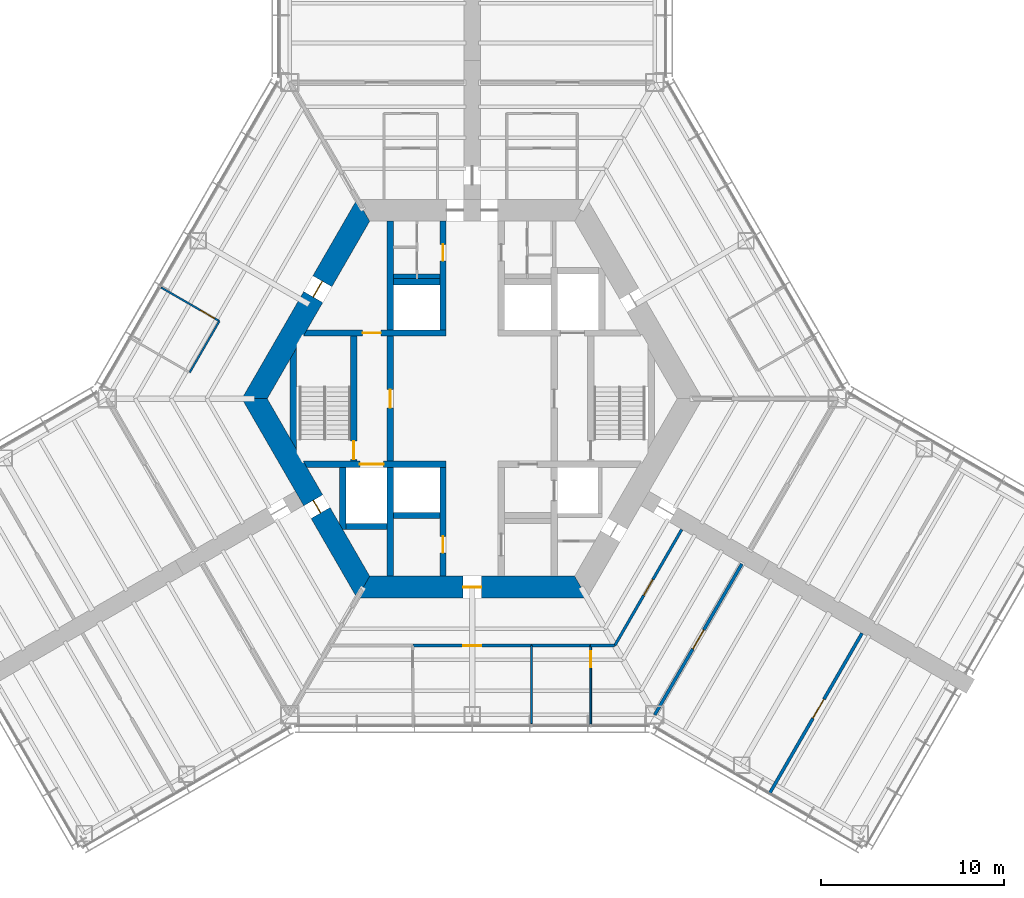
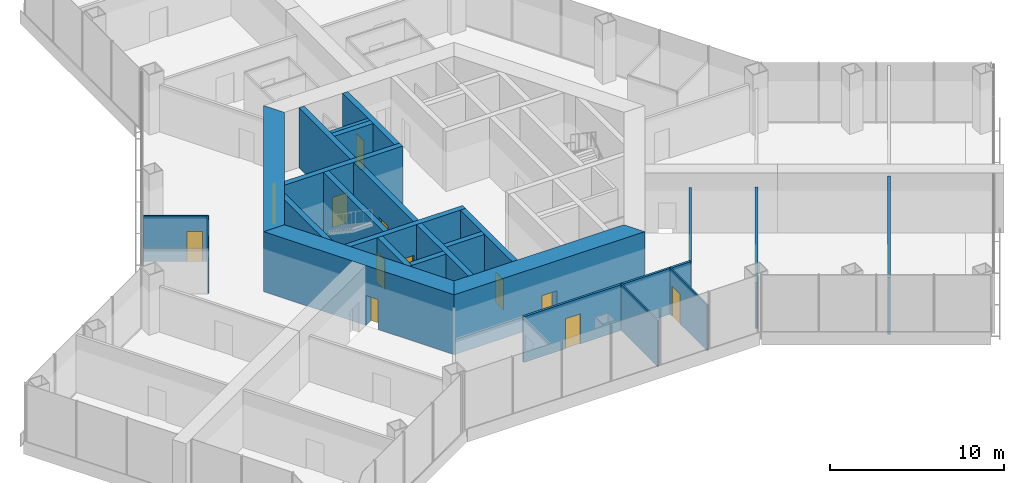
# One storey, part 11 of 16: 27 walls, 15 doors, 15 openings.
"""IFC4 building model written with IfcOpenShell, lengths in metres."""

import ifcopenshell
import ifcopenshell.guid

model = None  # the IFC model being written
_history = None  # IfcOwnerHistory: only IFC2X3 demands one
_inside = {}  # id of a spatial element -> (the spatial element, [elements in it])
_under = {}  # id of a project, library or spatial element -> (it, [spatial elements below it])
_declared = {}  # id of a project -> (the project, [libraries it declares])
_typed = {}  # id of a type object -> (the type object, [elements of that type])
_made_of = {}  # id of a material, layer set ... -> (it, [elements and type objects made of it])


def new_model(schema):
    """Start an empty IFC model of exactly this schema.

    Asked for "IFC4X3", IfcOpenShell would pick the latest addendum, in which some entities
    have other attributes; the version numbers below select the first issue.
    IFC2X3 requires an IfcOwnerHistory on every rooted entity: one is made here for all.
    """
    global model, _history
    if schema == "IFC4X3":
        model = ifcopenshell.file(schema_version=(4, 3, 0, 0))
    else:
        model = ifcopenshell.file(schema=schema)
    _inside.clear()
    _under.clear()
    _declared.clear()
    _typed.clear()
    _made_of.clear()
    _history = None
    if model.schema == "IFC2X3":
        org = make("IfcOrganization", Name="unknown")
        user = make(
            "IfcPersonAndOrganization",
            ThePerson=make("IfcPerson", FamilyName="unknown"),
            TheOrganization=org,
        )
        app = make(
            "IfcApplication",
            ApplicationDeveloper=org,
            Version="unknown",
            ApplicationFullName="unknown",
            ApplicationIdentifier="unknown",
        )
        _history = make(
            "IfcOwnerHistory",
            OwningUser=user,
            OwningApplication=app,
            ChangeAction="ADDED",
            CreationDate=0,
        )
    return model


def make(cls, **values):
    """One entity of the class cls with the attributes given. An attribute that is None is left unset."""
    return model.create_entity(
        cls, **{name: value for name, value in values.items() if value is not None}
    )


def rooted(cls, **values):
    """An entity with a GlobalId (a new one), such as an element, a storey or a relation."""
    return make(cls, GlobalId=ifcopenshell.guid.new(), OwnerHistory=_history, **values)


def si_unit(unit_type, name, prefix=None):
    """IfcSIUnit, for example si_unit("LENGTHUNIT", "METRE", prefix="MILLI")."""
    return make("IfcSIUnit", UnitType=unit_type, Prefix=prefix, Name=name)


def assignment(units):
    """IfcUnitAssignment: the units of a project."""
    return None if units is None else make("IfcUnitAssignment", Units=units)


def point(xyz):
    """IfcCartesianPoint."""
    return None if xyz is None else make("IfcCartesianPoint", Coordinates=xyz)


def direction(xyz):
    """IfcDirection."""
    return None if xyz is None else make("IfcDirection", DirectionRatios=xyz)


def frame(location, z_axis=None, x_axis=None):
    """IfcAxis2Placement3D, a coordinate frame: its origin and axes. An axis left out is left unset."""
    return make(
        "IfcAxis2Placement3D",
        Location=point(location),
        Axis=direction(z_axis),
        RefDirection=direction(x_axis),
    )


def frame_2d(location, x_axis=None):
    """IfcAxis2Placement2D, a coordinate frame in the plane: its origin and x axis."""
    return make(
        "IfcAxis2Placement2D", Location=point(location), RefDirection=direction(x_axis)
    )


def origin():
    """The frame at (0, 0, 0) with its axes left unset."""
    return frame((0.0, 0.0, 0.0))


def place(relative_to, where):
    """IfcLocalPlacement: puts the frame where relative to a parent placement (None: the world)."""
    return make(
        "IfcLocalPlacement", PlacementRelTo=relative_to, RelativePlacement=where
    )


def context(
    kind, dimensions, precision=None, world=None, true_north=None, identifier=None
):
    """IfcGeometricRepresentationContext, for example the 3D "Model" context."""
    return make(
        "IfcGeometricRepresentationContext",
        ContextIdentifier=identifier,
        ContextType=kind,
        CoordinateSpaceDimension=dimensions,
        Precision=precision,
        WorldCoordinateSystem=world,
        TrueNorth=true_north,
    )


def subcontext(parent, identifier, kind, view, scale=None):
    """IfcGeometricRepresentationSubContext, for example "Body" below "Model"."""
    return make(
        "IfcGeometricRepresentationSubContext",
        ContextIdentifier=identifier,
        ContextType=kind,
        ParentContext=parent,
        TargetScale=scale,
        TargetView=view,
    )


def project(units=None, contexts=None):
    """IfcProject with its units and contexts."""
    return rooted(
        "IfcProject",
        Name="project",
        RepresentationContexts=contexts,
        UnitsInContext=assignment(units),
    )


def spatial(cls, under=None, at=None, **own):
    """A site, building, storey or space (cls), placed at a placement, below another one or the project."""
    s = rooted(cls, ObjectPlacement=at, **own)
    if under is not None:
        _under.setdefault(under.id(), (under, []))[1].append(s)
    return s


def polyline(points):
    """IfcPolyline through the points."""
    return make("IfcPolyline", Points=[point(p) for p in points])


def profile(cls, at=None, kind="AREA", **sizes):
    """A parametric profile (cls). Its sizes go by their IFC names, for example OverallWidth=200.0."""
    return make(cls, ProfileType=kind, Position=at, **sizes)


def rectangle(**sizes):
    """IfcRectangleProfileDef."""
    return profile("IfcRectangleProfileDef", **sizes)


def outline(outer, holes=None, kind="AREA"):
    """IfcArbitraryClosedProfileDef: a profile drawn as a closed curve; with holes, ...WithVoids."""
    if holes is None:
        return make("IfcArbitraryClosedProfileDef", ProfileType=kind, OuterCurve=outer)
    return make(
        "IfcArbitraryProfileDefWithVoids",
        ProfileType=kind,
        OuterCurve=outer,
        InnerCurves=holes,
    )


def extrude(swept, where, along, depth):
    """IfcExtrudedAreaSolid: the profile swept, set in the frame where, extruded along a direction by depth."""
    return make(
        "IfcExtrudedAreaSolid",
        SweptArea=swept,
        Position=where,
        ExtrudedDirection=direction(along),
        Depth=depth,
    )


def shape(context_of_items, identifier, shape_type, items):
    """IfcShapeRepresentation: the items that make up one representation, for example the "Body"."""
    return make(
        "IfcShapeRepresentation",
        ContextOfItems=context_of_items,
        RepresentationIdentifier=identifier,
        RepresentationType=shape_type,
        Items=items,
    )


def material(Name=None, Category=None):
    """IfcMaterial."""
    return make("IfcMaterial", Name=Name, Category=Category)


def layer(
    of_material, thickness, ventilated=None, Name=None, Category=None, Priority=None
):
    """IfcMaterialLayer: one layer of a wall or slab, of a material (None: an air gap)."""
    return make(
        "IfcMaterialLayer",
        Material=of_material,
        LayerThickness=thickness,
        IsVentilated=ventilated,
        Name=Name,
        Category=Category,
        Priority=Priority,
    )


def layer_set(layers, Name=None):
    """IfcMaterialLayerSet."""
    return make("IfcMaterialLayerSet", MaterialLayers=layers, LayerSetName=Name)


def made_of(thing, what):
    """Note that an element or type object is made of a material, layer set ...; save() writes the relation."""
    if what is not None:
        _made_of.setdefault(what.id(), (what, []))[1].append(thing)
    return thing


def type_object(cls, material=None, **own):
    """A type object (cls), such as IfcWallType, which elements share."""
    return made_of(rooted(cls, **own), material)


def element(
    cls,
    number,
    at=None,
    inside=None,
    cuts=None,
    type_object=None,
    material=None,
    context=None,
    identifier="Body",
    shape_type=None,
    held_by="IfcProductDefinitionShape",
    body=None,
    shapes=None,
    **own,
):
    """One element of the class cls, such as IfcWall. Its Tag is "e" and its number.

    at: its placement. inside: the storey or other place that contains it. cuts: it is an
    opening in that element (IfcRelVoidsElement). A single representation is given by context,
    identifier, shape_type and body (its items); several are given by shapes. held_by: the class
    of the entity that holds the representations. save() writes the other relations.
    """
    e = rooted(cls, Tag="e%d" % number, ObjectPlacement=at, **own)
    if body is not None:
        shapes = [shape(context, identifier, shape_type, body)]
    if shapes is not None:
        e.Representation = make(held_by, Representations=shapes)
    if inside is not None:
        _inside.setdefault(inside.id(), (inside, []))[1].append(e)
    if cuts is not None:
        rooted(
            "IfcRelVoidsElement", RelatingBuildingElement=cuts, RelatedOpeningElement=e
        )
    if type_object is not None:
        _typed.setdefault(type_object.id(), (type_object, []))[1].append(e)
    return made_of(e, material)


def fill(opening, filler):
    """IfcRelFillsElement: the door or window that sits in an opening."""
    return rooted(
        "IfcRelFillsElement",
        RelatingOpeningElement=opening,
        RelatedBuildingElement=filler,
    )


def aggregate(whole, parts):
    """IfcRelAggregates: a whole, such as a stair, and the parts it consists of."""
    return rooted("IfcRelAggregates", RelatingObject=whole, RelatedObjects=parts)


def save(model, path):
    """Write the relations noted so far, then the file.

    IfcRelAggregates (storeys below a building ...), IfcRelContainedInSpatialStructure (elements
    in a storey), IfcRelDefinesByType, IfcRelAssociatesMaterial and IfcRelDeclares: one each for
    every whole, place, type object, material and project.
    """
    for whole, parts in _under.values():
        aggregate(whole, parts)
    for where, things in _inside.values():
        rooted(
            "IfcRelContainedInSpatialStructure",
            RelatedElements=things,
            RelatingStructure=where,
        )
    for kind, things in _typed.values():
        rooted("IfcRelDefinesByType", RelatedObjects=things, RelatingType=kind)
    for what, things in _made_of.values():
        rooted("IfcRelAssociatesMaterial", RelatedObjects=things, RelatingMaterial=what)
    for by, libraries in _declared.values():
        rooted("IfcRelDeclares", RelatingContext=by, RelatedDefinitions=libraries)
    model.write(path)


model = new_model("IFC4")

# Units and contexts
model_context = context("Model", 3, precision=1e-05, world=origin(), true_north=direction((0.0, 1.0)))
body_context = subcontext(model_context, "Body", "Model", "MODEL_VIEW")
ifc_project = project(units=[si_unit("LENGTHUNIT", "METRE"), si_unit("AREAUNIT", "SQUARE_METRE"), si_unit("VOLUMEUNIT", "CUBIC_METRE"), si_unit("PLANEANGLEUNIT", "RADIAN"), si_unit("MASSUNIT", "GRAM", prefix="KILO")], contexts=[model_context])

# Site, building, storey
site_placement = place(None, origin())
site = spatial("IfcSite", under=ifc_project, at=site_placement, CompositionType="ELEMENT")
building_placement = place(site_placement, origin())
building = spatial("IfcBuilding", under=site, at=building_placement, Name="Kasaneha Research Tower", CompositionType="ELEMENT")
storey_placement = place(building_placement, frame((0.0, 0.0, 22.60009765625)))
storey = spatial("IfcBuildingStorey", under=building, at=storey_placement, Name="L06", CompositionType="ELEMENT", Elevation=22.60009765625)

# Wall, opening, door
ifc_material_1 = material(Name="Concrete Fc100", Category="concrete")
ifc_layer_1 = layer(ifc_material_1, 0.35009765625)
ifc_layer_set_1 = layer_set([ifc_layer_1], Name="Core internal wall 350 Fc100")
wall_type_1 = type_object("IfcWallType", Name="Core internal wall 350 Fc100", PredefinedType="SHEAR", material=ifc_layer_set_1)
wall_1_placement = place(storey_placement, frame((-9.151123046875, 3.60009765625, 0.0), z_axis=(0.0, 0.0, 1.0), x_axis=(1.0, 0.0, 0.0)))
wall_1 = element("IfcWall", 1, at=wall_1_placement, inside=storey, type_object=wall_type_1, Name="Core wall W1W L06", PredefinedType="SHEAR", context=body_context, shape_type="SweptSolid", body=[
    extrude(outline(polyline([(-0.10107421875, -0.175048828125), (3.151123046875, -0.175048828125), (4.151123046875, -0.175048828125), (7.72607421875, -0.175048828125), (7.72607421875, 0.175048828125), (4.151123046875, 0.175048828125), (3.151123046875, 0.175048828125), (0.10107421875, 0.175048828125), (-0.10107421875, -0.175048828125)])), origin(), (0.0, 0.0, 1.0), 4.199951171875),
])
opening_1_placement = place(wall_1_placement, frame((3.151123046875, 0.0, 0.0)))
opening_1 = element("IfcOpeningElement", 2, at=opening_1_placement, cuts=wall_1, Name="Opening L06-D12", PredefinedType="OPENING", context=body_context, shape_type="SweptSolid", body=[
    extrude(rectangle(XDim=1.0, YDim=2.10009765625, at=frame_2d((0.5, 1.050048828125))), frame((0.0, 0.18505859375, 0.0), z_axis=(0.0, -1.0, 0.0), x_axis=(1.0, 0.0, 0.0)), (0.0, 0.0, 1.0), 0.3701171875),
])
ifc_material_2 = material(Name="Steel", Category="steel")
door_type_1 = type_object("IfcDoorType", Name="Specified fire door FD60 1000x2100", OperationType="NOTDEFINED", PredefinedType="DOOR", material=ifc_material_2)
door_1_placement = place(opening_1_placement, origin())
door_1 = element("IfcDoor", 3, at=door_1_placement, inside=storey, type_object=door_type_1, Name="Vestibule to lobby door L06-D12", OperationType="SINGLE_SWING_LEFT", OverallHeight=2.10009765625, OverallWidth=1.0, PredefinedType="DOOR", context=body_context, shape_type="SweptSolid", body=[
    extrude(rectangle(XDim=1.0, YDim=2.10009765625, at=frame_2d((0.5, 1.050048828125))), frame((0.0, 0.02490234375, 0.0), z_axis=(0.0, -1.0, 0.0), x_axis=(1.0, 0.0, 0.0)), (0.0, 0.0, 1.0), 0.050048828125),
])
fill(opening_1, door_1)

wall_2_placement = place(storey_placement, frame((-9.151123046875, -3.60009765625, 0.0), z_axis=(0.0, 0.0, 1.0), x_axis=(1.0, 0.0, 0.0)))
wall_2 = element("IfcWall", 4, at=wall_2_placement, inside=storey, type_object=wall_type_1, Name="Core wall W2W L06", PredefinedType="SHEAR", context=body_context, shape_type="SweptSolid", body=[
    extrude(outline(polyline([(0.10107421875, -0.175048828125), (3.0009765625, -0.175048828125), (4.301025390625, -0.175048828125), (7.72607421875, -0.175048828125), (7.72607421875, 0.175048828125), (4.301025390625, 0.175048828125), (3.0009765625, 0.175048828125), (-0.10107421875, 0.175048828125), (0.10107421875, -0.175048828125)])), origin(), (0.0, 0.0, 1.0), 4.199951171875),
])
opening_2_placement = place(wall_2_placement, frame((3.0009765625, 0.0, 0.0)))
opening_2 = element("IfcOpeningElement", 5, at=opening_2_placement, cuts=wall_2, Name="Opening LD-FL2-L06", PredefinedType="OPENING", context=body_context, shape_type="SweptSolid", body=[
    extrude(rectangle(XDim=1.300048828125, YDim=2.10009765625, at=frame_2d((0.64990234375, 1.050048828125))), frame((0.0, 0.18505859375, 0.0), z_axis=(0.0, -1.0, 0.0), x_axis=(1.0, 0.0, 0.0)), (0.0, 0.0, 1.0), 0.3701171875),
])
ifc_material_3 = material(Name="Steel", Category="steel")
door_type_2 = type_object("IfcDoorType", Name="Lift landing door 1300x2100", OperationType="DOUBLE_DOOR_SLIDING", PredefinedType="DOOR", material=ifc_material_3)
door_2_placement = place(opening_2_placement, origin())
door_2 = element("IfcDoor", 6, at=door_2_placement, inside=storey, type_object=door_type_2, Name="Landing door FL2 LD-FL2-L06", OperationType="DOUBLE_DOOR_SLIDING", OverallHeight=2.10009765625, OverallWidth=1.300048828125, PredefinedType="DOOR", context=body_context, shape_type="SweptSolid", body=[
    extrude(rectangle(XDim=1.300048828125, YDim=2.10009765625, at=frame_2d((0.64990234375, 1.050048828125))), frame((0.0, 0.02490234375, 0.0), z_axis=(0.0, -1.0, 0.0), x_axis=(1.0, 0.0, 0.0)), (0.0, 0.0, 1.0), 0.050048828125),
])
fill(opening_2, door_2)

wall_3_placement = place(storey_placement, frame((-1.60009765625, 3.77490234375, 0.0), z_axis=(0.0, 0.0, 1.0), x_axis=(0.0, 1.0, 0.0)))
wall_3 = element("IfcWall", 7, at=wall_3_placement, inside=storey, type_object=wall_type_1, Name="Core wall CNW L06", PredefinedType="SHEAR", context=body_context, shape_type="SweptSolid", body=[
    extrude(rectangle(XDim=5.9501953125, YDim=0.35009765625, at=frame_2d((2.97509765625, 0.0))), origin(), (0.0, 0.0, 1.0), 4.199951171875),
])
opening_3_placement = place(wall_3_placement, frame((3.77490234375, 0.0, 0.0)))
opening_3 = element("IfcOpeningElement", 8, at=opening_3_placement, cuts=wall_3, Name="Opening L06-D13", PredefinedType="OPENING", context=body_context, shape_type="SweptSolid", body=[
    extrude(rectangle(XDim=0.89990234375, YDim=2.10009765625, at=frame_2d((0.449951171875, 1.050048828125))), frame((0.0, 0.18505859375, 0.0), z_axis=(0.0, -1.0, 0.0), x_axis=(1.0, 0.0, 0.0)), (0.0, 0.0, 1.0), 0.3701171875),
])
ifc_material_4 = material(Name="Steel", Category="steel")
door_type_3 = type_object("IfcDoorType", Name="Toilet door FD20 900x2100", OperationType="NOTDEFINED", PredefinedType="DOOR", material=ifc_material_4)
door_3_placement = place(opening_3_placement, origin())
door_3 = element("IfcDoor", 9, at=door_3_placement, inside=storey, type_object=door_type_3, Name="Men's WC door L06-D13", OperationType="SINGLE_SWING_LEFT", OverallHeight=2.10009765625, OverallWidth=0.89990234375, PredefinedType="DOOR", context=body_context, shape_type="SweptSolid", body=[
    extrude(rectangle(XDim=0.89990234375, YDim=2.10009765625, at=frame_2d((0.449951171875, 1.050048828125))), frame((0.0, 0.02490234375, 0.0), z_axis=(0.0, -1.0, 0.0), x_axis=(1.0, 0.0, 0.0)), (0.0, 0.0, 1.0), 0.050048828125),
])
fill(opening_3, door_3)

wall_4_placement = place(storey_placement, frame((-1.60009765625, -3.77490234375, 0.0), z_axis=(0.0, 0.0, 1.0), x_axis=(0.0, -1.0, 0.0)))
wall_4 = element("IfcWall", 10, at=wall_4_placement, inside=storey, type_object=wall_type_1, Name="Core wall CSW L06", PredefinedType="SHEAR", context=body_context, shape_type="SweptSolid", body=[
    extrude(rectangle(XDim=5.9501953125, YDim=0.35009765625, at=frame_2d((2.97509765625, 0.0))), origin(), (0.0, 0.0, 1.0), 4.199951171875),
])
opening_4_placement = place(wall_4_placement, frame((3.77490234375, 0.0, 0.0)))
opening_4 = element("IfcOpeningElement", 11, at=opening_4_placement, cuts=wall_4, Name="Opening L06-D16", PredefinedType="OPENING", context=body_context, shape_type="SweptSolid", body=[
    extrude(rectangle(XDim=0.89990234375, YDim=2.10009765625, at=frame_2d((0.449951171875, 1.050048828125))), frame((0.0, 0.18505859375, 0.0), z_axis=(0.0, -1.0, 0.0), x_axis=(1.0, 0.0, 0.0)), (0.0, 0.0, 1.0), 0.3701171875),
])
ifc_material_5 = material(Name="Steel", Category="steel")
door_type_4 = type_object("IfcDoorType", Name="Riser access door FD60 900x2100", OperationType="NOTDEFINED", PredefinedType="DOOR", material=ifc_material_5)
door_4_placement = place(opening_4_placement, origin())
door_4 = element("IfcDoor", 12, at=door_4_placement, inside=storey, type_object=door_type_4, Name="Electrical riser door L06-D16", OperationType="SINGLE_SWING_LEFT", OverallHeight=2.10009765625, OverallWidth=0.89990234375, PredefinedType="DOOR", context=body_context, shape_type="SweptSolid", body=[
    extrude(rectangle(XDim=0.89990234375, YDim=2.10009765625, at=frame_2d((0.449951171875, 1.050048828125))), frame((0.0, 0.02490234375, 0.0), z_axis=(0.0, -1.0, 0.0), x_axis=(1.0, 0.0, 0.0)), (0.0, 0.0, 1.0), 0.050048828125),
])
fill(opening_4, door_4)

wall_5_placement = place(storey_placement, frame((-4.5, -3.425048828125, 0.0), z_axis=(0.0, 0.0, 1.0), x_axis=(0.0, 1.0, 0.0)))
wall_5 = element("IfcWall", 13, at=wall_5_placement, inside=storey, type_object=wall_type_1, Name="Core wall LBW L06", PredefinedType="SHEAR", context=body_context, shape_type="SweptSolid", body=[
    extrude(rectangle(XDim=6.85009765625, YDim=0.35009765625, at=frame_2d((3.425048828125, 0.0))), origin(), (0.0, 0.0, 1.0), 4.199951171875),
])
opening_5_placement = place(wall_5_placement, frame((2.925048828125, 0.0, 0.0)))
opening_5 = element("IfcOpeningElement", 14, at=opening_5_placement, cuts=wall_5, Name="Opening L06-D09", PredefinedType="OPENING", context=body_context, shape_type="SweptSolid", body=[
    extrude(rectangle(XDim=1.0, YDim=2.10009765625, at=frame_2d((0.5, 1.050048828125))), frame((0.0, 0.18505859375, 0.0), z_axis=(0.0, -1.0, 0.0), x_axis=(1.0, 0.0, 0.0)), (0.0, 0.0, 1.0), 0.3701171875),
])
door_5_placement = place(opening_5_placement, origin())
door_5 = element("IfcDoor", 15, at=door_5_placement, inside=storey, type_object=door_type_1, Name="Lift lobby door west L06-D09", OperationType="SINGLE_SWING_LEFT", OverallHeight=2.10009765625, OverallWidth=1.0, PredefinedType="DOOR", context=body_context, shape_type="SweptSolid", body=[
    extrude(rectangle(XDim=1.0, YDim=2.10009765625, at=frame_2d((0.5, 1.050048828125))), frame((0.0, 0.02490234375, 0.0), z_axis=(0.0, -1.0, 0.0), x_axis=(1.0, 0.0, 0.0)), (0.0, 0.0, 1.0), 0.050048828125),
])
fill(opening_5, door_5)

wall_6_placement = place(storey_placement, frame((-6.5, -3.425048828125, 0.0), z_axis=(0.0, 0.0, 1.0), x_axis=(0.0, 1.0, 0.0)))
wall_6 = element("IfcWall", 16, at=wall_6_placement, inside=storey, type_object=wall_type_1, Name="Core wall ANW L06", PredefinedType="SHEAR", context=body_context, shape_type="SweptSolid", body=[
    extrude(rectangle(XDim=6.85009765625, YDim=0.35009765625, at=frame_2d((3.425048828125, 0.0))), origin(), (0.0, 0.0, 1.0), 4.199951171875),
])
opening_6_placement = place(wall_6_placement, frame((0.10009765625, 0.0, 0.0)))
opening_6 = element("IfcOpeningElement", 17, at=opening_6_placement, cuts=wall_6, Name="Opening L06-D11", PredefinedType="OPENING", context=body_context, shape_type="SweptSolid", body=[
    extrude(rectangle(XDim=1.0, YDim=2.10009765625, at=frame_2d((0.5, 1.050048828125))), frame((0.0, 0.18505859375, 0.0), z_axis=(0.0, -1.0, 0.0), x_axis=(1.0, 0.0, 0.0)), (0.0, 0.0, 1.0), 0.3701171875),
])
door_6_placement = place(opening_6_placement, origin())
door_6 = element("IfcDoor", 18, at=door_6_placement, inside=storey, type_object=door_type_1, Name="Stair 2 door L06-D11", OperationType="SINGLE_SWING_LEFT", OverallHeight=2.10009765625, OverallWidth=1.0, PredefinedType="DOOR", context=body_context, shape_type="SweptSolid", body=[
    extrude(rectangle(XDim=1.0, YDim=2.10009765625, at=frame_2d((0.5, 1.050048828125))), frame((0.0, 0.02490234375, 0.0), z_axis=(0.0, -1.0, 0.0), x_axis=(1.0, 0.0, 0.0)), (0.0, 0.0, 1.0), 0.050048828125),
])
fill(opening_6, door_6)

# Walls
for number, where, z_axis, x_axis, name in (
    (19, (-4.5, 3.77490234375, 0.0), (0.0, 0.0, 1.0), (0.0, 1.0, 0.0), "Core wall VNW L06"),
    (20, (-4.5, -3.77490234375, 0.0), (0.0, 0.0, 1.0), (0.0, -1.0, 0.0), "Core wall SSW L06"),
):
    element("IfcWall", number, at=place(storey_placement, frame(where, z_axis=z_axis, x_axis=x_axis)), inside=storey, type_object=wall_type_1, Name=name, PredefinedType="SHEAR", context=body_context, shape_type="SweptSolid", body=[
        extrude(rectangle(XDim=5.9501953125, YDim=0.35009765625, at=frame_2d((2.97509765625, 0.0))), origin(), (0.0, 0.0, 1.0), 4.199951171875),
    ])
for number, where, z_axis, x_axis, name in (
    (21, (-4.324951171875, 6.39990234375, 0.0), (0.0, 0.0, 1.0), (1.0, 0.0, 0.0), "Core wall N1N L06"),
    (22, (-4.324951171875, -6.39990234375, 0.0), (0.0, 0.0, 1.0), (1.0, 0.0, 0.0), "Core wall S1S L06"),
):
    element("IfcWall", number, at=place(storey_placement, frame(where, z_axis=z_axis, x_axis=x_axis)), inside=storey, type_object=wall_type_1, Name=name, PredefinedType="SHEAR", context=body_context, shape_type="SweptSolid", body=[
        extrude(rectangle(XDim=2.550048828125, YDim=0.35009765625, at=frame_2d((1.27490234375, 0.0))), origin(), (0.0, 0.0, 1.0), 4.199951171875),
    ])
wall_7_placement = place(storey_placement, frame((-6.925048828125, -7.0, 0.0), z_axis=(0.0, 0.0, 1.0), x_axis=(1.0, 0.0, 0.0)))
element("IfcWall", 23, at=wall_7_placement, inside=storey, type_object=wall_type_1, Name="Core wall F2S L06", PredefinedType="SHEAR", context=body_context, shape_type="SweptSolid", body=[
    extrude(rectangle(XDim=2.25, YDim=0.35009765625, at=frame_2d((1.125, 0.0))), origin(), (0.0, 0.0, 1.0), 4.199951171875),
])
wall_8_placement = place(storey_placement, frame((-7.10009765625, -3.77490234375, 0.0), z_axis=(0.0, 0.0, 1.0), x_axis=(0.0, -1.0, 0.0)))
element("IfcWall", 24, at=wall_8_placement, inside=storey, type_object=wall_type_1, Name="Core wall F2W L06", PredefinedType="SHEAR", context=body_context, shape_type="SweptSolid", body=[
    extrude(outline(polyline([(0.0, -0.175048828125), (3.07421875, -0.175048828125), (3.37744140625, 0.0), (3.39990234375, 0.175048828125), (0.0, 0.175048828125), (0.0, -0.175048828125)])), origin(), (0.0, 0.0, 1.0), 4.199951171875),
])
wall_9_placement = place(storey_placement, frame((-9.807861328125, -2.462158203125, 0.0), z_axis=(0.0, 0.0, 1.0), x_axis=(0.0, 1.0, 0.0)))
element("IfcWall", 25, at=wall_9_placement, inside=storey, type_object=wall_type_1, Name="Core wall STW L06", PredefinedType="SHEAR", context=body_context, shape_type="SweptSolid", body=[
    extrude(outline(polyline([(-0.30322265625, -0.175048828125), (5.2275390625, -0.175048828125), (4.62109375, 0.175048828125), (0.30322265625, 0.175048828125), (-0.30322265625, -0.175048828125)])), origin(), (0.0, 0.0, 1.0), 4.199951171875),
])

# Wall, opening, door
ifc_material_6 = material(Name="Concrete Fc100", Category="concrete")
ifc_layer_2 = layer(ifc_material_6, 1.199951171875)
ifc_layer_set_2 = layer_set([ifc_layer_2], Name="Core wall 1200 Fc100")
wall_type_2 = type_object("IfcWallType", Name="Core wall 1200 Fc100", PredefinedType="SHEAR", material=ifc_layer_set_2)
wall_10_placement = place(storey_placement, frame((-5.961181640625, 10.324951171875, 0.0), z_axis=(0.0, 0.0, 1.0), x_axis=(-0.500004296715, -0.866022923061, 0.0)))
wall_10 = element("IfcWall", 26, at=wall_10_placement, inside=storey, type_object=wall_type_2, Name="Core wall 150 L06", PredefinedType="SHEAR", context=body_context, shape_type="SweptSolid", body=[
    extrude(outline(polyline([(-0.346435546875, -0.60009765625), (4.494140625, -0.60009765625), (5.494140625, -0.60009765625), (12.268798828125, -0.60009765625), (11.575927734375, 0.60009765625), (5.494140625, 0.60009765625), (4.494140625, 0.60009765625), (0.346435546875, 0.60009765625), (-0.346435546875, -0.60009765625)])), origin(), (0.0, 0.0, 1.0), 4.199951171875),
])
opening_7_placement = place(wall_10_placement, frame((4.494140625, 0.0, 0.0)))
opening_7 = element("IfcOpeningElement", 27, at=opening_7_placement, cuts=wall_10, Name="Opening L06-D07", PredefinedType="OPENING", context=body_context, shape_type="SweptSolid", body=[
    extrude(rectangle(XDim=1.0, YDim=2.10009765625, at=frame_2d((0.5, 1.050048828125))), frame((0.0, 0.60986328125, 0.0), z_axis=(0.0, -1.0, 0.0), x_axis=(1.0, 0.0, 0.0)), (0.0, 0.0, 1.0), 1.219970703125),
])
ifc_material_7 = material(Name="Steel", Category="steel")
door_type_5 = type_object("IfcDoorType", Name="Fire door FD20 1000x2100", OperationType="NOTDEFINED", PredefinedType="DOOR", material=ifc_material_7)
door_7_placement = place(opening_7_placement, origin())
door_7 = element("IfcDoor", 28, at=door_7_placement, inside=storey, type_object=door_type_5, Name="Vestibule door L06-D07", OperationType="SINGLE_SWING_LEFT", OverallHeight=2.10009765625, OverallWidth=1.0, PredefinedType="DOOR", context=body_context, shape_type="SweptSolid", body=[
    extrude(rectangle(XDim=1.0, YDim=2.10009765625, at=frame_2d((0.5, 1.050048828125))), frame((0.0, 0.02490234375, 0.0), z_axis=(0.0, -1.0, 0.0), x_axis=(1.0, 0.0, 0.0)), (0.0, 0.0, 1.0), 0.050048828125),
])
fill(opening_7, door_7)

wall_11_placement = place(storey_placement, frame((-11.92236328125, 0.0, 0.0), z_axis=(0.0, 0.0, 1.0), x_axis=(0.500004296715, -0.866022923061, 0.0)))
wall_11 = element("IfcWall", 29, at=wall_11_placement, inside=storey, type_object=wall_type_2, Name="Core wall 210 L06", PredefinedType="SHEAR", context=body_context, shape_type="SweptSolid", body=[
    extrude(outline(polyline([(-0.346435546875, -0.60009765625), (6.43115234375, -0.60009765625), (7.231201171875, -0.60009765625), (12.268798828125, -0.60009765625), (11.575927734375, 0.60009765625), (7.231201171875, 0.60009765625), (6.43115234375, 0.60009765625), (0.346435546875, 0.60009765625), (-0.346435546875, -0.60009765625)])), origin(), (0.0, 0.0, 1.0), 4.199951171875),
])
opening_8_placement = place(wall_11_placement, frame((6.43115234375, 0.0, 0.0)))
opening_8 = element("IfcOpeningElement", 30, at=opening_8_placement, cuts=wall_11, Name="Opening L06-D06", PredefinedType="OPENING", context=body_context, shape_type="SweptSolid", body=[
    extrude(rectangle(XDim=0.800048828125, YDim=2.10009765625, at=frame_2d((0.39990234375, 1.050048828125))), frame((0.0, 0.60986328125, 0.0), z_axis=(0.0, -1.0, 0.0), x_axis=(1.0, 0.0, 0.0)), (0.0, 0.0, 1.0), 1.219970703125),
])
ifc_material_8 = material(Name="Steel", Category="steel")
door_type_6 = type_object("IfcDoorType", Name="Riser access door FD60 800x2100", OperationType="NOTDEFINED", PredefinedType="DOOR", material=ifc_material_8)
door_8_placement = place(opening_8_placement, origin())
door_8 = element("IfcDoor", 31, at=door_8_placement, inside=storey, type_object=door_type_6, Name="Duct riser door L06-D06", OperationType="SINGLE_SWING_RIGHT", OverallHeight=2.10009765625, OverallWidth=0.800048828125, PredefinedType="DOOR", context=body_context, shape_type="SweptSolid", body=[
    extrude(rectangle(XDim=0.800048828125, YDim=2.10009765625, at=frame_2d((0.39990234375, 1.050048828125))), frame((0.0, 0.02490234375, 0.0), z_axis=(0.0, -1.0, 0.0), x_axis=(1.0, 0.0, 0.0)), (0.0, 0.0, 1.0), 0.050048828125),
])
fill(opening_8, door_8)

wall_12_placement = place(storey_placement, frame((-5.961181640625, -10.324951171875, 0.0), z_axis=(0.0, 0.0, 1.0), x_axis=(1.0, 0.0, 0.0)))
wall_12 = element("IfcWall", 32, at=wall_12_placement, inside=storey, type_object=wall_type_2, Name="Core wall 270 L06", PredefinedType="SHEAR", context=body_context, shape_type="SweptSolid", body=[
    extrude(outline(polyline([(-0.346435546875, -0.60009765625), (5.461181640625, -0.60009765625), (6.461181640625, -0.60009765625), (12.268798828125, -0.60009765625), (11.575927734375, 0.60009765625), (6.461181640625, 0.60009765625), (5.461181640625, 0.60009765625), (0.346435546875, 0.60009765625), (-0.346435546875, -0.60009765625)])), origin(), (0.0, 0.0, 1.0), 4.199951171875),
])
opening_9_placement = place(wall_12_placement, frame((5.461181640625, 0.0, 0.0)))
opening_9 = element("IfcOpeningElement", 33, at=opening_9_placement, cuts=wall_12, Name="Opening L06-D03", PredefinedType="OPENING", context=body_context, shape_type="SweptSolid", body=[
    extrude(rectangle(XDim=1.0, YDim=2.10009765625, at=frame_2d((0.5, 1.050048828125))), frame((0.0, 0.60986328125, 0.0), z_axis=(0.0, -1.0, 0.0), x_axis=(1.0, 0.0, 0.0)), (0.0, 0.0, 1.0), 1.219970703125),
])
door_9_placement = place(opening_9_placement, origin())
door_9 = element("IfcDoor", 34, at=door_9_placement, inside=storey, type_object=door_type_5, Name="Core door south L06-D03", OperationType="SINGLE_SWING_LEFT", OverallHeight=2.10009765625, OverallWidth=1.0, PredefinedType="DOOR", context=body_context, shape_type="SweptSolid", body=[
    extrude(rectangle(XDim=1.0, YDim=2.10009765625, at=frame_2d((0.5, 1.050048828125))), frame((0.0, 0.02490234375, 0.0), z_axis=(0.0, -1.0, 0.0), x_axis=(1.0, 0.0, 0.0)), (0.0, 0.0, 1.0), 0.050048828125),
])
fill(opening_9, door_9)

ifc_material_9 = material(Name="Gypsum board on steel studs, two layers each side", Category="steel")
ifc_layer_3 = layer(ifc_material_9, 0.175048828125)
ifc_layer_set_3 = layer_set([ifc_layer_3], Name="Laboratory fire partition 175")
wall_type_3 = type_object("IfcWallType", Name="Laboratory fire partition 175", PredefinedType="PARTITIONING", material=ifc_layer_set_3)
wall_13_placement = place(storey_placement, frame((14.77490234375, -9.050048828125, 0.0), z_axis=(0.0, 0.0, 1.0), x_axis=(-0.499993908199, -0.866028920859, 0.0)))
wall_13 = element("IfcWall", 35, at=wall_13_placement, inside=storey, type_object=wall_type_3, Name="Laboratory fire partition LABC-S L06", PredefinedType="PARTITIONING", context=body_context, shape_type="SweptSolid", body=[
    extrude(rectangle(XDim=9.5498046875, YDim=0.175048828125, at=frame_2d((4.77490234375, 0.0))), origin(), (0.0, 0.0, 1.0), 3.2080078125),
])
opening_10_placement = place(wall_13_placement, frame((4.175048828125, 0.0, 0.0)))
opening_10 = element("IfcOpeningElement", 36, at=opening_10_placement, cuts=wall_13, Name="Opening L06-D44", PredefinedType="OPENING", context=body_context, shape_type="SweptSolid", body=[
    extrude(rectangle(XDim=1.199951171875, YDim=2.10009765625, at=frame_2d((0.60009765625, 1.050048828125))), frame((0.0, 0.09765625, 0.0), z_axis=(0.0, -1.0, 0.0), x_axis=(1.0, 0.0, 0.0)), (0.0, 0.0, 1.0), 0.195068359375),
])
ifc_material_10 = material(Name="Steel", Category="steel")
door_type_7 = type_object("IfcDoorType", Name="Laboratory door FD60 1200x2100", OperationType="DOUBLE_DOOR_SINGLE_SWING", PredefinedType="DOOR", material=ifc_material_10)
door_10_placement = place(opening_10_placement, origin())
door_10 = element("IfcDoor", 37, at=door_10_placement, inside=storey, type_object=door_type_7, Name="Laboratory door L06-D44", OperationType="DOUBLE_DOOR_SINGLE_SWING", OverallHeight=2.10009765625, OverallWidth=1.199951171875, PredefinedType="DOOR", context=body_context, shape_type="SweptSolid", body=[
    extrude(rectangle(XDim=1.199951171875, YDim=2.10009765625, at=frame_2d((0.60009765625, 1.050048828125))), frame((0.0, 0.02490234375, 0.0), z_axis=(0.0, -1.0, 0.0), x_axis=(1.0, 0.0, 0.0)), (0.0, 0.0, 1.0), 0.050048828125),
])
fill(opening_10, door_10)

wall_14_placement = place(storey_placement, frame((21.356689453125, -12.849853515625, 0.0), z_axis=(0.0, 0.0, 1.0), x_axis=(-0.499987145745, -0.866032825065, 0.0)))
wall_14 = element("IfcWall", 38, at=wall_14_placement, inside=storey, type_object=wall_type_3, Name="Laboratory fire partition SUPC-S L06", PredefinedType="PARTITIONING", context=body_context, shape_type="SweptSolid", body=[
    extrude(rectangle(XDim=10.139892578125, YDim=0.175048828125, at=frame_2d((5.06982421875, 0.0))), origin(), (0.0, 0.0, 1.0), 4.0),
])
opening_11_placement = place(wall_14_placement, frame((4.175048828125, 0.0, 0.0)))
opening_11 = element("IfcOpeningElement", 39, at=opening_11_placement, cuts=wall_14, Name="Opening L06-D49", PredefinedType="OPENING", context=body_context, shape_type="SweptSolid", body=[
    extrude(rectangle(XDim=1.199951171875, YDim=2.10009765625, at=frame_2d((0.60009765625, 1.050048828125))), frame((0.0, 0.09765625, 0.0), z_axis=(0.0, -1.0, 0.0), x_axis=(1.0, 0.0, 0.0)), (0.0, 0.0, 1.0), 0.195068359375),
])
door_11_placement = place(opening_11_placement, origin())
door_11 = element("IfcDoor", 40, at=door_11_placement, inside=storey, type_object=door_type_7, Name="Laboratory support room door L06-D49", OperationType="DOUBLE_DOOR_SINGLE_SWING", OverallHeight=2.10009765625, OverallWidth=1.199951171875, PredefinedType="DOOR", context=body_context, shape_type="SweptSolid", body=[
    extrude(rectangle(XDim=1.199951171875, YDim=2.10009765625, at=frame_2d((0.60009765625, 1.050048828125))), frame((0.0, 0.02490234375, 0.0), z_axis=(0.0, -1.0, 0.0), x_axis=(1.0, 0.0, 0.0)), (0.0, 0.0, 1.0), 0.050048828125),
])
fill(opening_11, door_11)

ifc_material_11 = material(Name="Gypsum board on steel studs, one layer each side", Category="steel")
ifc_layer_4 = layer(ifc_material_11, 0.10009765625)
ifc_layer_set_4 = layer_set([ifc_layer_4], Name="Office partition 100")
wall_type_4 = type_object("IfcWallType", Name="Office partition 100", PredefinedType="PARTITIONING", material=ifc_layer_set_4)
wall_15_placement = place(storey_placement, frame((-17.047607421875, 6.09375, 0.0), z_axis=(0.0, 0.0, 1.0), x_axis=(0.866040157966, -0.499974444137, 0.0)))
wall_15 = element("IfcWall", 41, at=wall_15_placement, inside=storey, type_object=wall_type_4, Name="Office partition FBN01 L06", PredefinedType="PARTITIONING", context=body_context, shape_type="SweptSolid", body=[
    extrude(rectangle(XDim=3.690185546875, YDim=0.10009765625, at=frame_2d((1.84521484375, 0.0))), origin(), (0.0, 0.0, 1.0), 3.199951171875),
])
opening_12_placement = place(wall_15_placement, frame((2.489990234375, 0.0, 0.0)))
opening_12 = element("IfcOpeningElement", 42, at=opening_12_placement, cuts=wall_15, Name="Opening L06-D38", PredefinedType="OPENING", context=body_context, shape_type="SweptSolid", body=[
    extrude(rectangle(XDim=0.89990234375, YDim=2.10009765625, at=frame_2d((0.449951171875, 1.050048828125))), frame((0.0, 0.06005859375, 0.0), z_axis=(0.0, -1.0, 0.0), x_axis=(1.0, 0.0, 0.0)), (0.0, 0.0, 1.0), 0.1201171875),
])
ifc_material_12 = material(Name="Timber veneer", Category="wood")
door_type_8 = type_object("IfcDoorType", Name="Office door 900x2100", OperationType="SINGLE_SWING_LEFT", PredefinedType="DOOR", material=ifc_material_12)
door_12_placement = place(opening_12_placement, origin())
door_12 = element("IfcDoor", 43, at=door_12_placement, inside=storey, type_object=door_type_8, Name="Tissue culture room door L06-D38", OperationType="SINGLE_SWING_RIGHT", OverallHeight=2.10009765625, OverallWidth=0.89990234375, PredefinedType="DOOR", context=body_context, shape_type="SweptSolid", body=[
    extrude(rectangle(XDim=0.89990234375, YDim=2.10009765625, at=frame_2d((0.449951171875, 1.050048828125))), frame((0.0, 0.02490234375, 0.0), z_axis=(0.0, -1.0, 0.0), x_axis=(1.0, 0.0, 0.0)), (0.0, 0.0, 1.0), 0.050048828125),
])
fill(opening_12, door_12)

# Wall
wall_16_placement = place(storey_placement, frame((-13.851806640625, 4.248779296875, 0.0), z_axis=(0.0, 0.0, 1.0), x_axis=(-0.500013214685, -0.866017774148, 0.0)))
element("IfcWall", 44, at=wall_16_placement, inside=storey, type_object=wall_type_4, Name="Office partition FBN03 L06", PredefinedType="PARTITIONING", context=body_context, shape_type="SweptSolid", body=[
    extrude(rectangle(XDim=3.24658203125, YDim=0.10009765625, at=frame_2d((1.623291015625, 0.0))), origin(), (0.0, 0.0, 1.0), 3.199951171875),
])

# Wall, opening, door
wall_17_placement = place(storey_placement, frame((6.48828125, -13.52490234375, 0.0), z_axis=(0.0, 0.0, 1.0), x_axis=(0.001076120809, -0.999999420982, 0.0)))
wall_17 = element("IfcWall", 45, at=wall_17_placement, inside=storey, type_object=wall_type_4, Name="Office partition FCS07 L06", PredefinedType="PARTITIONING", context=body_context, shape_type="SweptSolid", body=[
    extrude(rectangle(XDim=4.310546875, YDim=0.10009765625, at=frame_2d((2.1552734375, 0.0))), origin(), (0.0, 0.0, 1.0), 3.199951171875),
])
opening_13_placement = place(wall_17_placement, frame((0.300048828125, 0.0, 0.0)))
opening_13 = element("IfcOpeningElement", 46, at=opening_13_placement, cuts=wall_17, Name="Opening L06-D48", PredefinedType="OPENING", context=body_context, shape_type="SweptSolid", body=[
    extrude(rectangle(XDim=0.89990234375, YDim=2.10009765625, at=frame_2d((0.449951171875, 1.050048828125))), frame((0.0, 0.06005859375, 0.0), z_axis=(0.0, -1.0, 0.0), x_axis=(1.0, 0.0, 0.0)), (0.0, 0.0, 1.0), 0.1201171875),
])
door_13_placement = place(opening_13_placement, origin())
door_13 = element("IfcDoor", 47, at=door_13_placement, inside=storey, type_object=door_type_8, Name="Principal investigator office door L06-D48", OperationType="SINGLE_SWING_LEFT", OverallHeight=2.10009765625, OverallWidth=0.89990234375, PredefinedType="DOOR", context=body_context, shape_type="SweptSolid", body=[
    extrude(rectangle(XDim=0.89990234375, YDim=2.10009765625, at=frame_2d((0.449951171875, 1.050048828125))), frame((0.0, 0.02490234375, 0.0), z_axis=(0.0, -1.0, 0.0), x_axis=(1.0, 0.0, 0.0)), (0.0, 0.0, 1.0), 0.050048828125),
])
fill(opening_13, door_13)

# Walls
wall_18_placement = place(storey_placement, frame((3.246337890625, -17.800537109375, 0.0), z_axis=(0.0, 0.0, 1.0), x_axis=(0.001084907715, 0.999999411487, 0.0)))
element("IfcWall", 48, at=wall_18_placement, inside=storey, type_object=wall_type_4, Name="Office partition FCS08 L06", PredefinedType="PARTITIONING", context=body_context, shape_type="SweptSolid", body=[
    extrude(rectangle(XDim=4.275634765625, YDim=0.10009765625, at=frame_2d((2.1376953125, 0.0))), origin(), (0.0, 0.0, 1.0), 3.199951171875),
])
ifc_material_13 = material(Name="Gypsum board on steel studs, two layers each side", Category="steel")
ifc_layer_5 = layer(ifc_material_13, 0.14990234375)
ifc_layer_set_5 = layer_set([ifc_layer_5], Name="Suite partition 150")
wall_type_5 = type_object("IfcWallType", Name="Suite partition 150", PredefinedType="PARTITIONING", material=ifc_layer_set_5)
wall_19_placement = place(storey_placement, frame((6.497802734375, -13.52490234375, 0.0), z_axis=(0.0, 0.0, 1.0), x_axis=(-1.0, 0.0, 0.0)))
element("IfcWall", 49, at=wall_19_placement, inside=storey, type_object=wall_type_5, Name="Suite partition FCS02 L06", PredefinedType="PARTITIONING", context=body_context, shape_type="SweptSolid", body=[
    extrude(rectangle(XDim=3.25634765625, YDim=0.14990234375, at=frame_2d((1.628173828125, 0.0))), origin(), (0.0, 0.0, 1.0), 3.199951171875),
])
wall_20_placement = place(storey_placement, frame((7.80859375, -13.52490234375, 0.0), z_axis=(0.0, 0.0, 1.0), x_axis=(-1.0, 0.0, 0.0)))
element("IfcWall", 50, at=wall_20_placement, inside=storey, type_object=wall_type_5, Name="Suite partition FCS03 L06", PredefinedType="PARTITIONING", context=body_context, shape_type="SweptSolid", body=[
    extrude(rectangle(XDim=1.3203125, YDim=0.14990234375, at=frame_2d((0.66015625, 0.0))), origin(), (0.0, 0.0, 1.0), 3.199951171875),
])

# Wall, opening, door
wall_21_placement = place(storey_placement, frame((11.47802734375, -7.16943359375, 0.0), z_axis=(0.0, 0.0, 1.0), x_axis=(-0.500010424145, -0.866019385318, 0.0)))
wall_21 = element("IfcWall", 51, at=wall_21_placement, inside=storey, type_object=wall_type_5, Name="Suite partition FCS04 L06", PredefinedType="PARTITIONING", context=body_context, shape_type="SweptSolid", body=[
    extrude(rectangle(XDim=7.338623046875, YDim=0.14990234375, at=frame_2d((3.66943359375, 0.0))), origin(), (0.0, 0.0, 1.0), 3.199951171875),
])
opening_14_placement = place(wall_21_placement, frame((3.16943359375, 0.0, 0.0)))
opening_14 = element("IfcOpeningElement", 52, at=opening_14_placement, cuts=wall_21, Name="Opening L06-D45", PredefinedType="OPENING", context=body_context, shape_type="SweptSolid", body=[
    extrude(rectangle(XDim=1.0, YDim=2.10009765625, at=frame_2d((0.5, 1.050048828125))), frame((0.0, 0.0849609375, 0.0), z_axis=(0.0, -1.0, 0.0), x_axis=(1.0, 0.0, 0.0)), (0.0, 0.0, 1.0), 0.169921875),
])
ifc_material_14 = material(Name="Steel", Category="steel")
door_type_9 = type_object("IfcDoorType", Name="Suite entrance door FD60 1000x2100", OperationType="NOTDEFINED", PredefinedType="DOOR", material=ifc_material_14)
door_14_placement = place(opening_14_placement, origin())
door_14 = element("IfcDoor", 53, at=door_14_placement, inside=storey, type_object=door_type_9, Name="Suite entrance door L06-D45", OperationType="SINGLE_SWING_RIGHT", OverallHeight=2.10009765625, OverallWidth=1.0, PredefinedType="DOOR", context=body_context, shape_type="SweptSolid", body=[
    extrude(rectangle(XDim=1.0, YDim=2.10009765625, at=frame_2d((0.5, 1.050048828125))), frame((0.0, 0.02490234375, 0.0), z_axis=(0.0, -1.0, 0.0), x_axis=(1.0, 0.0, 0.0)), (0.0, 0.0, 1.0), 0.050048828125),
])
fill(opening_14, door_14)

wall_22_placement = place(storey_placement, frame((3.2509765625, -13.52490234375, 0.0), z_axis=(0.0, 0.0, 1.0), x_axis=(-1.0, 0.0, 0.0)))
wall_22 = element("IfcWall", 54, at=wall_22_placement, inside=storey, type_object=wall_type_5, Name="Suite partition FCS05 L06", PredefinedType="PARTITIONING", context=body_context, shape_type="SweptSolid", body=[
    extrude(rectangle(XDim=6.501953125, YDim=0.14990234375, at=frame_2d((3.2509765625, 0.0))), origin(), (0.0, 0.0, 1.0), 3.199951171875),
])
opening_15_placement = place(wall_22_placement, frame((2.7509765625, 0.0, 0.0)))
opening_15 = element("IfcOpeningElement", 55, at=opening_15_placement, cuts=wall_22, Name="Opening L06-D46", PredefinedType="OPENING", context=body_context, shape_type="SweptSolid", body=[
    extrude(rectangle(XDim=1.0, YDim=2.10009765625, at=frame_2d((0.5, 1.050048828125))), frame((0.0, 0.0849609375, 0.0), z_axis=(0.0, -1.0, 0.0), x_axis=(1.0, 0.0, 0.0)), (0.0, 0.0, 1.0), 0.169921875),
])
door_15_placement = place(opening_15_placement, origin())
door_15 = element("IfcDoor", 56, at=door_15_placement, inside=storey, type_object=door_type_9, Name="Suite entrance door L06-D46", OperationType="SINGLE_SWING_LEFT", OverallHeight=2.10009765625, OverallWidth=1.0, PredefinedType="DOOR", context=body_context, shape_type="SweptSolid", body=[
    extrude(rectangle(XDim=1.0, YDim=2.10009765625, at=frame_2d((0.5, 1.050048828125))), frame((0.0, 0.02490234375, 0.0), z_axis=(0.0, -1.0, 0.0), x_axis=(1.0, 0.0, 0.0)), (0.0, 0.0, 1.0), 0.050048828125),
])
fill(opening_15, door_15)

# Wall
ifc_material_15 = material(Name="Concrete block lining", Category="concrete")
ifc_layer_6 = layer(ifc_material_15, 0.25)
ifc_layer_set_6 = layer_set([ifc_layer_6], Name="WC plumbing wall 250")
wall_type_6 = type_object("IfcWallType", Name="WC plumbing wall 250", PredefinedType="PLUMBINGWALL", material=ifc_layer_set_6)
wall_23_placement = place(storey_placement, frame((-4.324951171875, 6.699951171875, 0.0), z_axis=(0.0, 0.0, 1.0), x_axis=(1.0, 0.0, 0.0)))
element("IfcWall", 57, at=wall_23_placement, inside=storey, type_object=wall_type_6, Name="WC plumbing wall M L06", PredefinedType="PLUMBINGWALL", context=body_context, shape_type="SweptSolid", body=[
    extrude(rectangle(XDim=2.550048828125, YDim=0.25, at=frame_2d((1.27490234375, 0.0))), origin(), (0.0, 0.0, 1.0), 4.199951171875),
])

save(model, "model.ifc")
